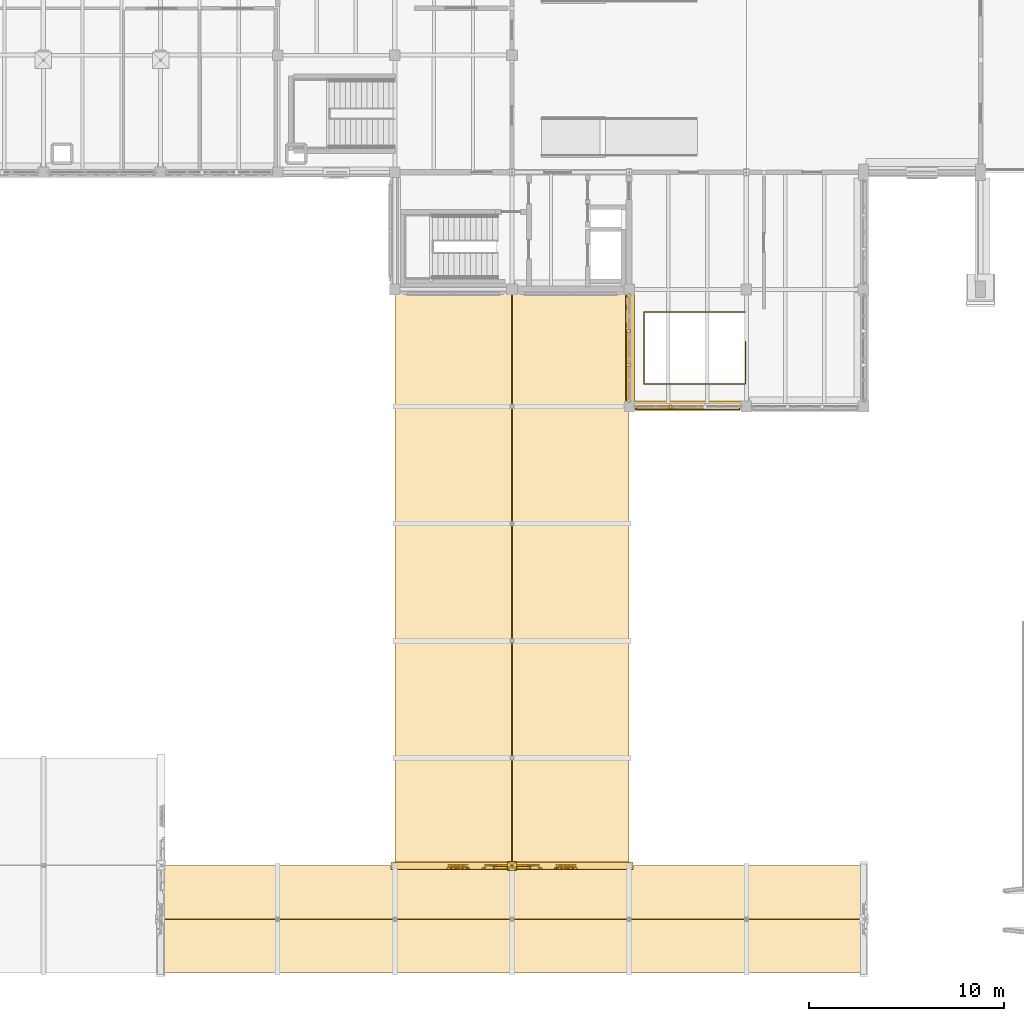
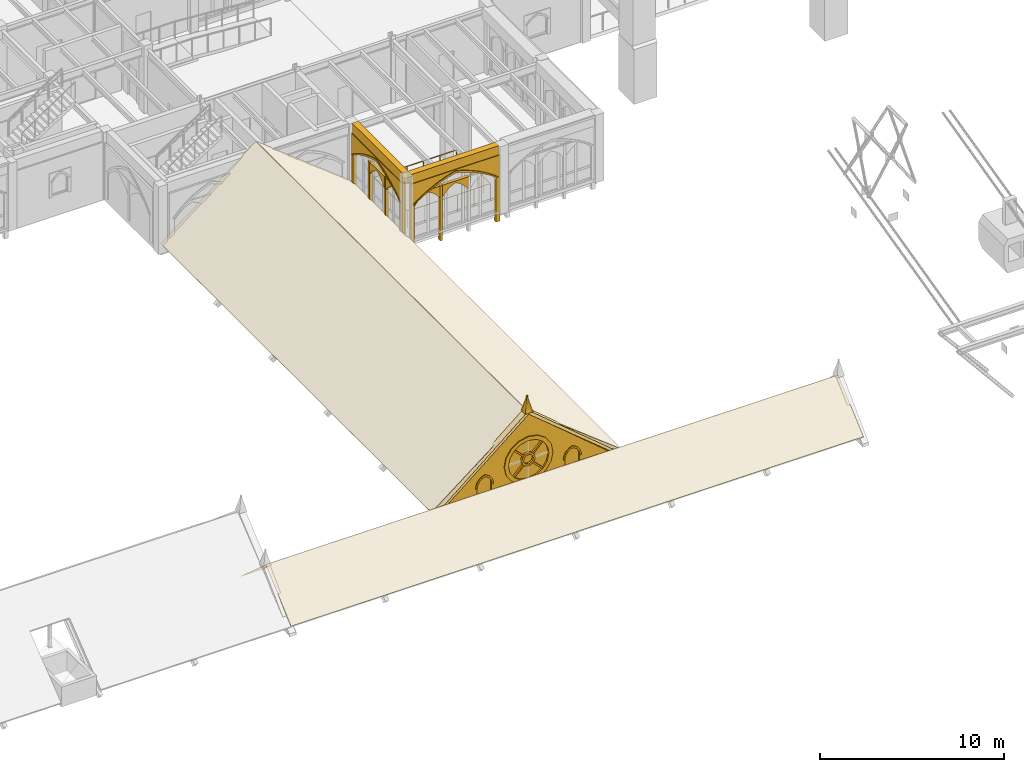
# One storey, part 88 of 108: 34 coverings, 1 railing.
"""IFC4 building model written with IfcOpenShell, lengths in metres."""

from ifc_helpers import new_model, si_unit, direction, frame, origin, origin_2d, place, context, subcontext, project, spatial, polyline, rectangle, circle, outline, extrude, material, type_object, element, save


model = new_model("IFC4")

# Units and contexts
model_context = context("Model", 3, precision=1e-05, world=origin(), true_north=direction((0.0, 1.0)))
body_context = subcontext(model_context, "Body", "Model", "MODEL_VIEW")
ifc_project = project(units=[si_unit("LENGTHUNIT", "METRE"), si_unit("AREAUNIT", "SQUARE_METRE"), si_unit("VOLUMEUNIT", "CUBIC_METRE"), si_unit("PLANEANGLEUNIT", "RADIAN"), si_unit("MASSUNIT", "GRAM", prefix="KILO")], contexts=[model_context])

# Site, building, storey
site_placement = place(None, origin())
site = spatial("IfcSite", under=ifc_project, at=site_placement, CompositionType="ELEMENT")
building_placement = place(site_placement, origin())
building = spatial("IfcBuilding", under=site, at=building_placement, Name="Cumevento Cable Car Station", CompositionType="ELEMENT")
storey_placement = place(building_placement, frame((0.0, 0.0, 13.5)))
storey = spatial("IfcBuildingStorey", under=building, at=storey_placement, Name="L04", CompositionType="ELEMENT", Elevation=13.5)

# Railing
ifc_material_1 = material(Name="Painted Galvanised Architectural Steel", Category="steel")
railing_type = type_object("IfcRailingType", Name="Stair Guardrail GR-S115", PredefinedType="GUARDRAIL", material=ifc_material_1)
railing_placement = place(storey_placement, frame((75.949951171875, 36.330078125, 0.0)))
element("IfcRailing", 1, at=railing_placement, inside=storey, type_object=railing_type, Name="Stairwell Opening Rim Guard ST-11 L04", PredefinedType="GUARDRAIL", context=body_context, shape_type="SweptSolid", body=[
    extrude(circle(Radius=0.02392578125, at=origin_2d()), frame((0.0, 0.0, 1.1259765625), z_axis=(0.0, -1.0, 0.0), x_axis=(1.0, 0.0, 0.0)), (0.0, 0.0, 1.0), 2.18017578125),
    extrude(circle(Radius=0.02392578125, at=origin_2d()), frame((0.0, -2.18017578125, 1.1259765625), z_axis=(-1.0, 0.0, 0.0), x_axis=(0.0, -1.0, 0.0)), (0.0, 0.0, 1.0), 5.199951171875),
    extrude(circle(Radius=0.02392578125, at=origin_2d()), frame((-5.199951171875, -2.18017578125, 1.1259765625), z_axis=(0.0, 1.0, 0.0), x_axis=(-1.0, 0.0, 0.0)), (0.0, 0.0, 1.0), 3.7001953125),
    extrude(circle(Radius=0.02392578125, at=origin_2d()), frame((-5.199951171875, 1.52001953125, 1.1259765625), z_axis=(1.0, 0.0, 0.0), x_axis=(0.0, 1.0, 0.0)), (0.0, 0.0, 1.0), 5.199951171875),
    extrude(circle(Radius=0.02001953125, at=origin_2d()), origin(), (0.0, 0.0, 1.0), 1.101806640625),
    extrude(circle(Radius=0.02001953125, at=origin_2d()), frame((0.0, -0.726806640625, 0.0)), (0.0, 0.0, 1.0), 1.101806640625),
    extrude(circle(Radius=0.02001953125, at=origin_2d()), frame((0.0, -1.453369140625, 0.0)), (0.0, 0.0, 1.0), 1.101806640625),
    extrude(circle(Radius=0.02001953125, at=origin_2d()), frame((0.0, -2.18017578125, 0.0)), (0.0, 0.0, 1.0), 1.101806640625),
    extrude(circle(Radius=0.02001953125, at=origin_2d()), frame((-1.0400390625, -2.18017578125, 0.0)), (0.0, 0.0, 1.0), 1.101806640625),
    extrude(circle(Radius=0.02001953125, at=origin_2d()), frame((-2.080078125, -2.18017578125, 0.0)), (0.0, 0.0, 1.0), 1.101806640625),
    extrude(circle(Radius=0.02001953125, at=origin_2d()), frame((-3.119873046875, -2.18017578125, 0.0)), (0.0, 0.0, 1.0), 1.101806640625),
    extrude(circle(Radius=0.02001953125, at=origin_2d()), frame((-4.159912109375, -2.18017578125, 0.0)), (0.0, 0.0, 1.0), 1.101806640625),
    extrude(circle(Radius=0.02001953125, at=origin_2d()), frame((-5.199951171875, -2.18017578125, 0.0)), (0.0, 0.0, 1.0), 1.101806640625),
    extrude(circle(Radius=0.02001953125, at=origin_2d()), frame((-5.199951171875, -1.255126953125, 0.0)), (0.0, 0.0, 1.0), 1.101806640625),
    extrude(circle(Radius=0.02001953125, at=origin_2d()), frame((-5.199951171875, -0.330078125, 0.0)), (0.0, 0.0, 1.0), 1.101806640625),
    extrude(circle(Radius=0.02001953125, at=origin_2d()), frame((-5.199951171875, 0.594970703125, 0.0)), (0.0, 0.0, 1.0), 1.101806640625),
    extrude(circle(Radius=0.02001953125, at=origin_2d()), frame((-5.199951171875, 1.52001953125, 0.0)), (0.0, 0.0, 1.0), 1.101806640625),
    extrude(circle(Radius=0.02001953125, at=origin_2d()), frame((-4.159912109375, 1.52001953125, 0.0)), (0.0, 0.0, 1.0), 1.101806640625),
    extrude(circle(Radius=0.02001953125, at=origin_2d()), frame((-3.119873046875, 1.52001953125, 0.0)), (0.0, 0.0, 1.0), 1.101806640625),
    extrude(circle(Radius=0.02001953125, at=origin_2d()), frame((-2.080078125, 1.52001953125, 0.0)), (0.0, 0.0, 1.0), 1.101806640625),
    extrude(circle(Radius=0.02001953125, at=origin_2d()), frame((-1.0400390625, 1.52001953125, 0.0)), (0.0, 0.0, 1.0), 1.101806640625),
    extrude(circle(Radius=0.02001953125, at=origin_2d()), frame((0.0, 1.52001953125, 0.0)), (0.0, 0.0, 1.0), 1.101806640625),
])

# Coverings
ifc_material_2 = material(Name="Standing-Seam Zinc-Titanium Roof Sheet", Category="steel")
covering_type_1 = type_object("IfcCoveringType", Name="Standing-Seam Zinc Roofing CV-RF01", PredefinedType="ROOFING", material=ifc_material_2)
for number, where, z_axis, x_axis, name in (
    (2, (46.0, 4.0, 0.46728515625), (0.0, -0.665218180503, 0.746649028881), (1.0, 0.0, 0.0), "Standing-Seam Zinc Roof Covering #25"),
    (3, (46.0, 6.760009765625, 2.908447265625), (0.0, 0.665218180503, 0.746649028881), (1.0, 0.0, 0.0), "Standing-Seam Zinc Roof Covering #26"),
):
    element("IfcCovering", number, at=place(storey_placement, frame(where, z_axis=z_axis, x_axis=x_axis)), inside=storey, type_object=covering_type_1, Name=name, PredefinedType="ROOFING", context=body_context, shape_type="SweptSolid", body=[
        extrude(outline(polyline([(0.0, 0.0), (36.0, 0.0), (36.0, 3.669716464349605), (0.0, 3.669716464349605), (0.0, 0.0)])), origin(), (0.0, 0.0, -1.0), 0.02587890625),
    ])
for number, where, z_axis, x_axis, name in (
    (4, (58.0, 39.0, 0.499267578125), (-0.616653683176, 0.0, 0.787234548928), (0.0, -1.0, 0.0), "Standing-Seam Zinc Roof Covering #27"),
    (5, (64.014892578125, 39.0, 5.1875), (0.616653683176, 0.0, 0.787234548928), (0.0, -1.0, 0.0), "Standing-Seam Zinc Roof Covering #28"),
):
    element("IfcCovering", number, at=place(storey_placement, frame(where, z_axis=z_axis, x_axis=x_axis)), inside=storey, type_object=covering_type_1, Name=name, PredefinedType="ROOFING", context=body_context, shape_type="SweptSolid", body=[
        extrude(outline(polyline([(0.0, 0.0), (29.5, 0.0), (29.5, 7.602699132078234), (0.0, 7.602699132078234), (0.0, 0.0)])), origin(), (0.0, 0.0, -1.0), 0.02587890625),
    ])
ifc_material_3 = material(Name="Gnaisse Facoidal Stone Ashlar 85 MPa", Category="masonry")
covering_type_2 = type_object("IfcCoveringType", Name="Gnaisse Ashlar Cladding CV-CL01", PredefinedType="CLADDING", material=ifc_material_3)
covering_1_placement = place(storey_placement, frame((73.0, 33.090087890625, 3.737060546875), z_axis=(0.0, 0.0, 1.0), x_axis=(-1.0, 0.0, 0.0)))
element("IfcCovering", 6, at=covering_1_placement, inside=storey, type_object=covering_type_2, Name="Gothic Stone Spandrel Stringcourse sc:0701", PredefinedType="CLADDING", context=body_context, shape_type="SweptSolid", body=[
    extrude(rectangle(XDim=5.510009765625, YDim=0.3798828125, at=origin_2d()), origin(), (0.0, 0.0, 1.0), 0.7470703125),
])
covering_2_placement = place(storey_placement, frame((70.090087890625, 36.0, 3.68701171875), z_axis=(0.0, 0.0, 1.0), x_axis=(0.0, 1.0, 0.0)))
element("IfcCovering", 7, at=covering_2_placement, inside=storey, type_object=covering_type_2, Name="Gothic Stone Spandrel Stringcourse sc:0703", PredefinedType="CLADDING", context=body_context, shape_type="SweptSolid", body=[
    extrude(rectangle(XDim=5.510009765625, YDim=0.3798828125, at=origin_2d()), origin(), (0.0, 0.0, 1.0), 0.797119140625),
])
placement_1 = place(storey_placement, frame((75.72509765625, 33.0, -0.52001953125), z_axis=(0.0, 0.0, 1.0), x_axis=(-1.0, 0.0, 0.0)))
element("IfcCovering", 8, at=placement_1, inside=storey, type_object=covering_type_2, Name="Gothic Ogival Pointed-Arch Stone Spandrel cw_ogival:0144", PredefinedType="CLADDING", context=body_context, shape_type="SweptSolid", body=[
    extrude(outline(polyline([(-0.080078125, 0.0), (-0.080078125, 4.39697265625), (5.530029296875, 4.39697265625), (5.530029296875, 0.0), (5.2900390625, 0.0), (5.2900390625, 3.0078125), (4.998046875, 3.211181640625), (4.696533203125, 3.39990234375), (4.385986328125, 3.572998046875), (4.067138671875, 3.730712890625), (3.74072265625, 3.872314453125), (3.40771484375, 3.997314453125), (3.06884765625, 4.105712890625), (2.72509765625, 4.197021484375), (2.381103515625, 4.105712890625), (2.042236328125, 3.997314453125), (1.709228515625, 3.872314453125), (1.3828125, 3.730712890625), (1.06396484375, 3.572998046875), (0.75341796875, 3.39990234375), (0.451904296875, 3.211181640625), (0.159912109375, 3.0078125), (0.159912109375, 0.0), (-0.080078125, 0.0)])), frame((0.0, 0.139892578125, 0.0), z_axis=(0.0, -1.0, 0.0), x_axis=(1.0, 0.0, 0.0)), (0.0, 0.0, 1.0), 0.219970703125),
])
covering_4_placement = place(storey_placement, frame((75.72509765625, 33.0, 2.48779296875), z_axis=(0.0, 0.0, 1.0), x_axis=(-1.0, 0.0, 0.0)))
element("IfcCovering", 9, at=covering_4_placement, inside=storey, type_object=covering_type_2, Name="Gothic Pointed Archivolt Hood Moulding cw_ogival:0144", PredefinedType="CLADDING", context=body_context, shape_type="SweptSolid", body=[
    extrude(outline(polyline([(0.159912109375, 0.0), (0.451904296875, 0.203369140625), (0.75341796875, 0.39208984375), (1.06396484375, 0.5654296875), (1.3828125, 0.72314453125), (1.709228515625, 0.86474609375), (2.042236328125, 0.98974609375), (2.381103515625, 1.09814453125), (2.72509765625, 1.189208984375), (3.06884765625, 1.09814453125), (3.40771484375, 0.98974609375), (3.74072265625, 0.86474609375), (4.067138671875, 0.72314453125), (4.385986328125, 0.5654296875), (4.696533203125, 0.39208984375), (4.998046875, 0.203369140625), (5.2900390625, 0.0), (5.39990234375, 0.0), (5.099609375, 0.226318359375), (4.787841796875, 0.436279296875), (4.46533203125, 0.629638671875), (4.133056640625, 0.8056640625), (3.791748046875, 0.963623046875), (3.44287109375, 1.103515625), (3.0869140625, 1.224609375), (2.72509765625, 1.326904296875), (2.363037109375, 1.224609375), (2.007080078125, 1.103515625), (1.658203125, 0.963623046875), (1.31689453125, 0.8056640625), (0.984619140625, 0.629638671875), (0.662109375, 0.436279296875), (0.350341796875, 0.226318359375), (0.050048828125, 0.0), (0.159912109375, 0.0)])), frame((0.0, 0.181884765625, 0.0), z_axis=(0.0, -1.0, 0.0), x_axis=(1.0, 0.0, 0.0)), (0.0, 0.0, 1.0), 0.06689453125),
])
element("IfcCovering", 10, at=placement_1, inside=storey, type_object=covering_type_2, Name="Gothic Bifora Stone Colonnette cw_ogival:0144 #2", PredefinedType="CLADDING", context=body_context, shape_type="SweptSolid", body=[
    extrude(outline(polyline([(3.530029296875, -0.02001953125), (3.679931640625, -0.02001953125), (3.679931640625, 3.626220703125), (3.530029296875, 3.626220703125), (3.530029296875, -0.02001953125)])), frame((0.0, 0.1279296875, 0.0), z_axis=(0.0, -1.0, 0.0), x_axis=(1.0, 0.0, 0.0)), (0.0, 0.0, 1.0), 0.205078125),
])
for number, where, z_axis, x_axis, name in (
    (11, (73.8349609375, 33.0, 2.3076171875), (0.0, 0.0, 1.0), (-1.0, 0.0, 0.0), "Gothic Ogival Pointed-Arch Stone Spandrel cw_ogival:0144:sub:1"),
    (12, (72.074951171875, 33.0, 2.3076171875), (0.0, 0.0, 1.0), (-1.0, 0.0, 0.0), "Gothic Ogival Pointed-Arch Stone Spandrel cw_ogival:0144:sub:2"),
):
    element("IfcCovering", number, at=place(storey_placement, frame(where, z_axis=z_axis, x_axis=x_axis)), inside=storey, type_object=covering_type_2, Name=name, PredefinedType="CLADDING", context=body_context, shape_type="SweptSolid", body=[
        extrude(outline(polyline([(-0.02001953125, 0.0), (-0.02001953125, 0.79833984375), (1.68994140625, 0.79833984375), (1.68994140625, 0.0), (1.6298828125, 0.0), (1.53076171875, 0.14697265625), (1.41650390625, 0.2822265625), (1.2880859375, 0.404296875), (1.147216796875, 0.511962890625), (0.99560546875, 0.603515625), (0.8349609375, 0.678466796875), (0.67431640625, 0.603515625), (0.522705078125, 0.511962890625), (0.3818359375, 0.404296875), (0.25341796875, 0.2822265625), (0.13916015625, 0.14697265625), (0.0400390625, 0.0), (-0.02001953125, 0.0)])), frame((0.0, 0.1240234375, 0.0), z_axis=(0.0, -1.0, 0.0), x_axis=(1.0, 0.0, 0.0)), (0.0, 0.0, 1.0), 0.199951171875),
    ])
placement_2 = place(storey_placement, frame((70.0, 33.27490234375, -0.419921875), z_axis=(0.0, 0.0, 1.0), x_axis=(0.0, 1.0, 0.0)))
element("IfcCovering", 13, at=placement_2, inside=storey, type_object=covering_type_2, Name="Gothic Ogival Pointed-Arch Stone Spandrel cw_ogival:0146", PredefinedType="CLADDING", context=body_context, shape_type="SweptSolid", body=[
    extrude(outline(polyline([(-0.080078125, 0.0), (-0.080078125, 4.2470703125), (5.530029296875, 4.2470703125), (5.530029296875, 0.0), (5.2900390625, 0.0), (5.2900390625, 2.91162109375), (4.995849609375, 3.106201171875), (4.692626953125, 3.28662109375), (4.381103515625, 3.4521484375), (4.06201171875, 3.6025390625), (3.736083984375, 3.737548828125), (3.404052734375, 3.856689453125), (3.06689453125, 3.9599609375), (2.72509765625, 4.047119140625), (2.383056640625, 3.9599609375), (2.0458984375, 3.856689453125), (1.7138671875, 3.737548828125), (1.387939453125, 3.6025390625), (1.06884765625, 3.4521484375), (0.75732421875, 3.28662109375), (0.4541015625, 3.106201171875), (0.159912109375, 2.91162109375), (0.159912109375, 0.0), (-0.080078125, 0.0)])), frame((0.0, 0.139892578125, 0.0), z_axis=(0.0, -1.0, 0.0), x_axis=(1.0, 0.0, 0.0)), (0.0, 0.0, 1.0), 0.219970703125),
])
covering_7_placement = place(storey_placement, frame((70.0, 33.27490234375, 2.49169921875), z_axis=(0.0, 0.0, 1.0), x_axis=(0.0, 1.0, 0.0)))
element("IfcCovering", 14, at=covering_7_placement, inside=storey, type_object=covering_type_2, Name="Gothic Pointed Archivolt Hood Moulding cw_ogival:0146", PredefinedType="CLADDING", context=body_context, shape_type="SweptSolid", body=[
    extrude(outline(polyline([(0.159912109375, 0.0), (0.4541015625, 0.194580078125), (0.75732421875, 0.375), (1.06884765625, 0.54052734375), (1.387939453125, 0.69091796875), (1.7138671875, 0.825927734375), (2.0458984375, 0.945068359375), (2.383056640625, 1.04833984375), (2.72509765625, 1.13525390625), (3.06689453125, 1.04833984375), (3.404052734375, 0.945068359375), (3.736083984375, 0.825927734375), (4.06201171875, 0.69091796875), (4.381103515625, 0.54052734375), (4.692626953125, 0.375), (4.995849609375, 0.194580078125), (5.2900390625, 0.0), (5.39990234375, 0.0), (5.09716796875, 0.217529296875), (4.78369140625, 0.419189453125), (4.460205078125, 0.604736328125), (4.127685546875, 0.7734375), (3.787109375, 0.925048828125), (3.43896484375, 1.05908203125), (3.084716796875, 1.175048828125), (2.72509765625, 1.272705078125), (2.365234375, 1.175048828125), (2.010986328125, 1.05908203125), (1.662841796875, 0.925048828125), (1.322265625, 0.7734375), (0.98974609375, 0.604736328125), (0.666259765625, 0.419189453125), (0.352783203125, 0.217529296875), (0.050048828125, 0.0), (0.159912109375, 0.0)])), frame((0.0, 0.181884765625, 0.0), z_axis=(0.0, -1.0, 0.0), x_axis=(1.0, 0.0, 0.0)), (0.0, 0.0, 1.0), 0.06689453125),
])
element("IfcCovering", 15, at=placement_2, inside=storey, type_object=covering_type_2, Name="Gothic Bifora Stone Colonnette cw_ogival:0146 #1", PredefinedType="CLADDING", context=body_context, shape_type="SweptSolid", body=[
    extrude(outline(polyline([(1.77001953125, -0.02001953125), (1.919921875, -0.02001953125), (1.919921875, 3.502197265625), (1.77001953125, 3.502197265625), (1.77001953125, -0.02001953125)])), frame((0.0, 0.1279296875, 0.0), z_axis=(0.0, -1.0, 0.0), x_axis=(1.0, 0.0, 0.0)), (0.0, 0.0, 1.0), 0.205078125),
])
element("IfcCovering", 16, at=placement_2, inside=storey, type_object=covering_type_2, Name="Gothic Bifora Stone Colonnette cw_ogival:0146 #2", PredefinedType="CLADDING", context=body_context, shape_type="SweptSolid", body=[
    extrude(outline(polyline([(3.530029296875, -0.02001953125), (3.679931640625, -0.02001953125), (3.679931640625, 3.502197265625), (3.530029296875, 3.502197265625), (3.530029296875, -0.02001953125)])), frame((0.0, 0.1279296875, 0.0), z_axis=(0.0, -1.0, 0.0), x_axis=(1.0, 0.0, 0.0)), (0.0, 0.0, 1.0), 0.205078125),
])
for number, where, z_axis, x_axis, name in (
    (17, (70.0, 33.405029296875, 2.311767578125), (0.0, 0.0, 1.0), (0.0, 1.0, 0.0), "Gothic Ogival Pointed-Arch Stone Spandrel cw_ogival:0146:sub:0"),
    (18, (70.0, 35.1650390625, 2.311767578125), (0.0, 0.0, 1.0), (0.0, 1.0, 0.0), "Gothic Ogival Pointed-Arch Stone Spandrel cw_ogival:0146:sub:1"),
):
    element("IfcCovering", number, at=place(storey_placement, frame(where, z_axis=z_axis, x_axis=x_axis)), inside=storey, type_object=covering_type_2, Name=name, PredefinedType="CLADDING", context=body_context, shape_type="SweptSolid", body=[
        extrude(outline(polyline([(-0.02001953125, 0.0), (-0.02001953125, 0.7705078125), (1.68994140625, 0.7705078125), (1.68994140625, 0.0), (1.6298828125, 0.0), (1.528564453125, 0.141357421875), (1.412841796875, 0.271240234375), (1.2841796875, 0.388427734375), (1.143798828125, 0.491455078125), (0.99365234375, 0.5791015625), (0.8349609375, 0.650390625), (0.67626953125, 0.5791015625), (0.526123046875, 0.491455078125), (0.3857421875, 0.388427734375), (0.257080078125, 0.271240234375), (0.141357421875, 0.141357421875), (0.0400390625, 0.0), (-0.02001953125, 0.0)])), frame((0.0, 0.1240234375, 0.0), z_axis=(0.0, -1.0, 0.0), x_axis=(1.0, 0.0, 0.0)), (0.0, 0.0, 1.0), 0.199951171875),
    ])
placement_3 = place(storey_placement, frame((70.0, 9.5, 0.0), z_axis=(0.0, 0.0, 1.0), x_axis=(-1.0, 0.0, 0.0)))
element("IfcCovering", 19, at=placement_3, inside=storey, type_object=covering_type_2, Name="Gothic Stone Gable Tympanum wing_B_V2b_S", PredefinedType="CLADDING", context=body_context, shape_type="SweptSolid", body=[
    extrude(outline(polyline([(-0.080078125, -0.06005859375), (12.080078125, -0.06005859375), (6.0, 5.06005859375), (-0.080078125, -0.06005859375)]), holes=[polyline([(7.344482421875, 2.041748046875), (7.2421875, 2.556396484375), (6.95068359375, 2.99267578125), (6.5146484375, 3.283935546875), (6.0, 3.386474609375), (5.4853515625, 3.283935546875), (5.04931640625, 2.99267578125), (4.7578125, 2.556396484375), (4.655517578125, 2.041748046875), (4.7578125, 1.52734375), (5.04931640625, 1.091064453125), (5.4853515625, 0.799560546875), (6.0, 0.697265625), (6.5146484375, 0.799560546875), (6.95068359375, 1.091064453125), (7.2421875, 1.52734375), (7.344482421875, 2.041748046875)]), polyline([(2.764892578125, 0.179931640625), (3.715087890625, 0.179931640625), (3.693359375, 1.3876953125), (3.629638671875, 1.545166015625), (3.528076171875, 1.681396484375), (3.395263671875, 1.787353515625), (3.239990234375, 1.856201171875), (3.084716796875, 1.787353515625), (2.951904296875, 1.681396484375), (2.850341796875, 1.545166015625), (2.78662109375, 1.3876953125), (2.764892578125, 0.179931640625)]), polyline([(8.284912109375, 0.179931640625), (9.235107421875, 0.179931640625), (9.21337890625, 1.3876953125), (9.149658203125, 1.545166015625), (9.048095703125, 1.681396484375), (8.915283203125, 1.787353515625), (8.760009765625, 1.856201171875), (8.604736328125, 1.787353515625), (8.471923828125, 1.681396484375), (8.370361328125, 1.545166015625), (8.306640625, 1.3876953125), (8.284912109375, 0.179931640625)])]), frame((0.0, 0.159912109375, 0.0), z_axis=(0.0, -1.0, 0.0), x_axis=(1.0, 0.0, 0.0)), (0.0, 0.0, 1.0), 0.300048828125),
])
element("IfcCovering", 20, at=placement_3, inside=storey, type_object=covering_type_2, Name="Gothic Gable Recessed Tracery Backing wing_B_V2b_S rose", PredefinedType="CLADDING", context=body_context, shape_type="SweptSolid", body=[
    extrude(outline(polyline([(7.384521484375, 2.041748046875), (7.279296875, 2.57177734375), (6.97900390625, 3.020751953125), (6.52978515625, 3.321044921875), (6.0, 3.426513671875), (5.47021484375, 3.321044921875), (5.02099609375, 3.020751953125), (4.720703125, 2.57177734375), (4.615478515625, 2.041748046875), (4.720703125, 1.511962890625), (5.02099609375, 1.062744140625), (5.47021484375, 0.7626953125), (6.0, 0.6572265625), (6.52978515625, 0.7626953125), (6.97900390625, 1.062744140625), (7.279296875, 1.511962890625), (7.384521484375, 2.041748046875)])), frame((0.0, 0.050048828125, 0.0), z_axis=(0.0, -1.0, 0.0), x_axis=(1.0, 0.0, 0.0)), (0.0, 0.0, 1.0), 0.074951171875),
])
element("IfcCovering", 21, at=placement_3, inside=storey, type_object=covering_type_2, Name="Gothic Gable Recessed Tracery Backing wing_B_V2b_S lancet_0", PredefinedType="CLADDING", context=body_context, shape_type="SweptSolid", body=[
    extrude(outline(polyline([(2.735107421875, 0.14990234375), (3.7451171875, 0.14990234375), (3.7216796875, 1.396240234375), (3.653564453125, 1.56005859375), (3.54541015625, 1.700927734375), (3.404296875, 1.80859375), (3.239990234375, 1.876220703125), (3.07568359375, 1.80859375), (2.9345703125, 1.700927734375), (2.826416015625, 1.56005859375), (2.75830078125, 1.396240234375), (2.735107421875, 0.14990234375)])), frame((0.0, 0.050048828125, 0.0), z_axis=(0.0, -1.0, 0.0), x_axis=(1.0, 0.0, 0.0)), (0.0, 0.0, 1.0), 0.074951171875),
])
element("IfcCovering", 22, at=placement_3, inside=storey, type_object=covering_type_2, Name="Gothic Gable Recessed Tracery Backing wing_B_V2b_S lancet_1", PredefinedType="CLADDING", context=body_context, shape_type="SweptSolid", body=[
    extrude(outline(polyline([(8.2548828125, 0.14990234375), (9.264892578125, 0.14990234375), (9.24169921875, 1.396240234375), (9.173583984375, 1.56005859375), (9.0654296875, 1.700927734375), (8.92431640625, 1.80859375), (8.760009765625, 1.876220703125), (8.595703125, 1.80859375), (8.45458984375, 1.700927734375), (8.346435546875, 1.56005859375), (8.2783203125, 1.396240234375), (8.2548828125, 0.14990234375)])), frame((0.0, 0.050048828125, 0.0), z_axis=(0.0, -1.0, 0.0), x_axis=(1.0, 0.0, 0.0)), (0.0, 0.0, 1.0), 0.074951171875),
])
element("IfcCovering", 23, at=placement_3, inside=storey, type_object=covering_type_2, Name="Gothic 16-Sided Stone Rose Window Ring wing_B_V2b_S", PredefinedType="CLADDING", context=body_context, shape_type="SweptSolid", body=[
    extrude(outline(polyline([(7.524658203125, 2.041748046875), (7.408447265625, 2.625244140625), (7.078125, 3.119873046875), (6.58349609375, 3.450439453125), (6.0, 3.56640625), (5.41650390625, 3.450439453125), (4.921875, 3.119873046875), (4.591552734375, 2.625244140625), (4.475341796875, 2.041748046875), (4.591552734375, 1.458251953125), (4.921875, 0.963623046875), (5.41650390625, 0.63330078125), (6.0, 0.51708984375), (6.58349609375, 0.63330078125), (7.078125, 0.963623046875), (7.408447265625, 1.458251953125), (7.524658203125, 2.041748046875)]), holes=[polyline([(7.274658203125, 2.041748046875), (7.177490234375, 2.529541015625), (6.9013671875, 2.943115234375), (6.48779296875, 3.219482421875), (6.0, 3.31640625), (5.51220703125, 3.219482421875), (5.0986328125, 2.943115234375), (4.822509765625, 2.529541015625), (4.725341796875, 2.041748046875), (4.822509765625, 1.553955078125), (5.0986328125, 1.140625), (5.51220703125, 0.8642578125), (6.0, 0.76708984375), (6.48779296875, 0.8642578125), (6.9013671875, 1.140625), (7.177490234375, 1.553955078125), (7.274658203125, 2.041748046875)])]), frame((0.0, 0.215087890625, 0.0), z_axis=(0.0, -1.0, 0.0), x_axis=(1.0, 0.0, 0.0)), (0.0, 0.0, 1.0), 0.110107421875),
])
element("IfcCovering", 24, at=placement_3, inside=storey, type_object=covering_type_2, Name="Gothic Rose Central Stone Oculus Hub wing_B_V2b_S", PredefinedType="CLADDING", context=body_context, shape_type="SweptSolid", body=[
    extrude(outline(polyline([(6.4296875, 2.041748046875), (6.3720703125, 2.256591796875), (6.21484375, 2.413818359375), (6.0, 2.471435546875), (5.78515625, 2.413818359375), (5.6279296875, 2.256591796875), (5.5703125, 2.041748046875), (5.6279296875, 1.826904296875), (5.78515625, 1.669677734375), (6.0, 1.6123046875), (6.21484375, 1.669677734375), (6.3720703125, 1.826904296875), (6.4296875, 2.041748046875)]), holes=[polyline([(6.3095703125, 2.041748046875), (6.26806640625, 2.196533203125), (6.15478515625, 2.309814453125), (6.0, 2.351318359375), (5.84521484375, 2.309814453125), (5.73193359375, 2.196533203125), (5.6904296875, 2.041748046875), (5.73193359375, 1.886962890625), (5.84521484375, 1.773681640625), (6.0, 1.732177734375), (6.15478515625, 1.773681640625), (6.26806640625, 1.886962890625), (6.3095703125, 2.041748046875)])]), frame((0.0, 0.18994140625, 0.0), z_axis=(0.0, -1.0, 0.0), x_axis=(1.0, 0.0, 0.0)), (0.0, 0.0, 1.0), 0.139892578125),
])
element("IfcCovering", 25, at=placement_3, inside=storey, type_object=covering_type_2, Name="Gothic Rose Stone Tracery Mullion wing_B_V2b_S #2", PredefinedType="CLADDING", context=body_context, shape_type="SweptSolid", body=[
    extrude(outline(polyline([(6.236572265625, 2.342041015625), (6.90478515625, 3.01025390625), (6.968505859375, 2.946533203125), (6.30029296875, 2.2783203125), (6.236572265625, 2.342041015625)])), frame((0.0, 0.18505859375, 0.0), z_axis=(0.0, -1.0, 0.0), x_axis=(1.0, 0.0, 0.0)), (0.0, 0.0, 1.0), 0.1298828125),
])
element("IfcCovering", 26, at=placement_3, inside=storey, type_object=covering_type_2, Name="Gothic Rose Stone Tracery Mullion wing_B_V2b_S #4", PredefinedType="CLADDING", context=body_context, shape_type="SweptSolid", body=[
    extrude(outline(polyline([(5.69970703125, 2.2783203125), (5.031494140625, 2.946533203125), (5.09521484375, 3.01025390625), (5.763427734375, 2.342041015625), (5.69970703125, 2.2783203125)])), frame((0.0, 0.18505859375, 0.0), z_axis=(0.0, -1.0, 0.0), x_axis=(1.0, 0.0, 0.0)), (0.0, 0.0, 1.0), 0.1298828125),
])
element("IfcCovering", 27, at=placement_3, inside=storey, type_object=covering_type_2, Name="Gothic Rose Stone Tracery Mullion wing_B_V2b_S #6", PredefinedType="CLADDING", context=body_context, shape_type="SweptSolid", body=[
    extrude(outline(polyline([(5.763427734375, 1.741455078125), (5.09521484375, 1.0732421875), (5.031494140625, 1.136962890625), (5.69970703125, 1.80517578125), (5.763427734375, 1.741455078125)])), frame((0.0, 0.18505859375, 0.0), z_axis=(0.0, -1.0, 0.0), x_axis=(1.0, 0.0, 0.0)), (0.0, 0.0, 1.0), 0.1298828125),
])
element("IfcCovering", 28, at=placement_3, inside=storey, type_object=covering_type_2, Name="Gothic Rose Stone Tracery Mullion wing_B_V2b_S #8", PredefinedType="CLADDING", context=body_context, shape_type="SweptSolid", body=[
    extrude(outline(polyline([(6.30029296875, 1.80517578125), (6.968505859375, 1.136962890625), (6.90478515625, 1.0732421875), (6.236572265625, 1.741455078125), (6.30029296875, 1.80517578125)])), frame((0.0, 0.18505859375, 0.0), z_axis=(0.0, -1.0, 0.0), x_axis=(1.0, 0.0, 0.0)), (0.0, 0.0, 1.0), 0.1298828125),
])
element("IfcCovering", 29, at=placement_3, inside=storey, type_object=covering_type_2, Name="Gable Lancet Stone Hood Moulding wing_B_V2b_S #1", PredefinedType="CLADDING", context=body_context, shape_type="SweptSolid", body=[
    extrude(outline(polyline([(2.764892578125, 1.21923828125), (2.78662109375, 1.3876953125), (2.850341796875, 1.545166015625), (2.951904296875, 1.681396484375), (3.084716796875, 1.787353515625), (3.239990234375, 1.856201171875), (3.395263671875, 1.787353515625), (3.528076171875, 1.681396484375), (3.629638671875, 1.545166015625), (3.693359375, 1.3876953125), (3.715087890625, 1.21923828125), (3.804931640625, 1.21923828125), (3.779052734375, 1.41943359375), (3.703369140625, 1.606689453125), (3.58251953125, 1.7685546875), (3.424560546875, 1.894287109375), (3.239990234375, 1.97607421875), (3.055419921875, 1.894287109375), (2.8974609375, 1.7685546875), (2.776611328125, 1.606689453125), (2.700927734375, 1.41943359375), (2.675048828125, 1.21923828125), (2.764892578125, 1.21923828125)])), frame((0.0, 0.205078125, 0.0), z_axis=(0.0, -1.0, 0.0), x_axis=(1.0, 0.0, 0.0)), (0.0, 0.0, 1.0), 0.090087890625),
])
element("IfcCovering", 30, at=placement_3, inside=storey, type_object=covering_type_2, Name="Gable Lancet Stone Hood Moulding wing_B_V2b_S #2", PredefinedType="CLADDING", context=body_context, shape_type="SweptSolid", body=[
    extrude(outline(polyline([(8.284912109375, 1.21923828125), (8.306640625, 1.3876953125), (8.370361328125, 1.545166015625), (8.471923828125, 1.681396484375), (8.604736328125, 1.787353515625), (8.760009765625, 1.856201171875), (8.915283203125, 1.787353515625), (9.048095703125, 1.681396484375), (9.149658203125, 1.545166015625), (9.21337890625, 1.3876953125), (9.235107421875, 1.21923828125), (9.324951171875, 1.21923828125), (9.299072265625, 1.41943359375), (9.223388671875, 1.606689453125), (9.1025390625, 1.7685546875), (8.944580078125, 1.894287109375), (8.760009765625, 1.97607421875), (8.575439453125, 1.894287109375), (8.41748046875, 1.7685546875), (8.296630859375, 1.606689453125), (8.220947265625, 1.41943359375), (8.195068359375, 1.21923828125), (8.284912109375, 1.21923828125)])), frame((0.0, 0.205078125, 0.0), z_axis=(0.0, -1.0, 0.0), x_axis=(1.0, 0.0, 0.0)), (0.0, 0.0, 1.0), 0.090087890625),
])
element("IfcCovering", 31, at=placement_3, inside=storey, type_object=covering_type_2, Name="Raking Gothic Stone Gable Coping wing_B_V2b_S", PredefinedType="CLADDING", context=body_context, shape_type="SweptSolid", body=[
    extrude(outline(polyline([(-0.199951171875, -0.06005859375), (6.0, 5.06005859375), (12.199951171875, -0.06005859375), (12.199951171875, 0.139892578125), (6.0, 5.300048828125), (-0.199951171875, 0.139892578125), (-0.199951171875, -0.06005859375)])), frame((0.0, 0.219970703125, 0.0), z_axis=(0.0, -1.0, 0.0), x_axis=(1.0, 0.0, 0.0)), (0.0, 0.0, 1.0), 0.39990234375),
])
for number, where, z_axis, x_axis, name in (
    (32, (64.239990234375, 9.7099609375, 5.159912109375), (0.0, 0.97486272659, 0.222806338116), (-1.0, 0.0, 0.0), "Gothic Gable Finial Spire Facet 1 wing_B_V2b_S"),
    (33, (63.760009765625, 9.7099609375, 5.159912109375), (-0.97486272659, 0.0, 0.222806338116), (0.0, -1.0, 0.0), "Gothic Gable Finial Spire Facet 2 wing_B_V2b_S"),
    (34, (63.760009765625, 9.22998046875, 5.159912109375), (0.0, -0.97486272659, 0.222806338116), (1.0, 0.0, 0.0), "Gothic Gable Finial Spire Facet 3 wing_B_V2b_S"),
    (35, (64.239990234375, 9.22998046875, 5.159912109375), (0.97486272659, 0.0, 0.222806338116), (0.0, 1.0, 0.0), "Gothic Gable Finial Spire Facet 4 wing_B_V2b_S"),
):
    element("IfcCovering", number, at=place(storey_placement, frame(where, z_axis=z_axis, x_axis=x_axis)), inside=storey, type_object=covering_type_2, Name=name, PredefinedType="CLADDING", context=body_context, shape_type="SweptSolid", body=[
        extrude(outline(polyline([(0.0, 0.0), (0.47998046875, 0.0), (0.239990234375, 1.0771248089437238), (0.0, 0.0)])), origin(), (0.0, 0.0, -1.0), 0.06494140625),
    ])

save(model, "model.ifc")
